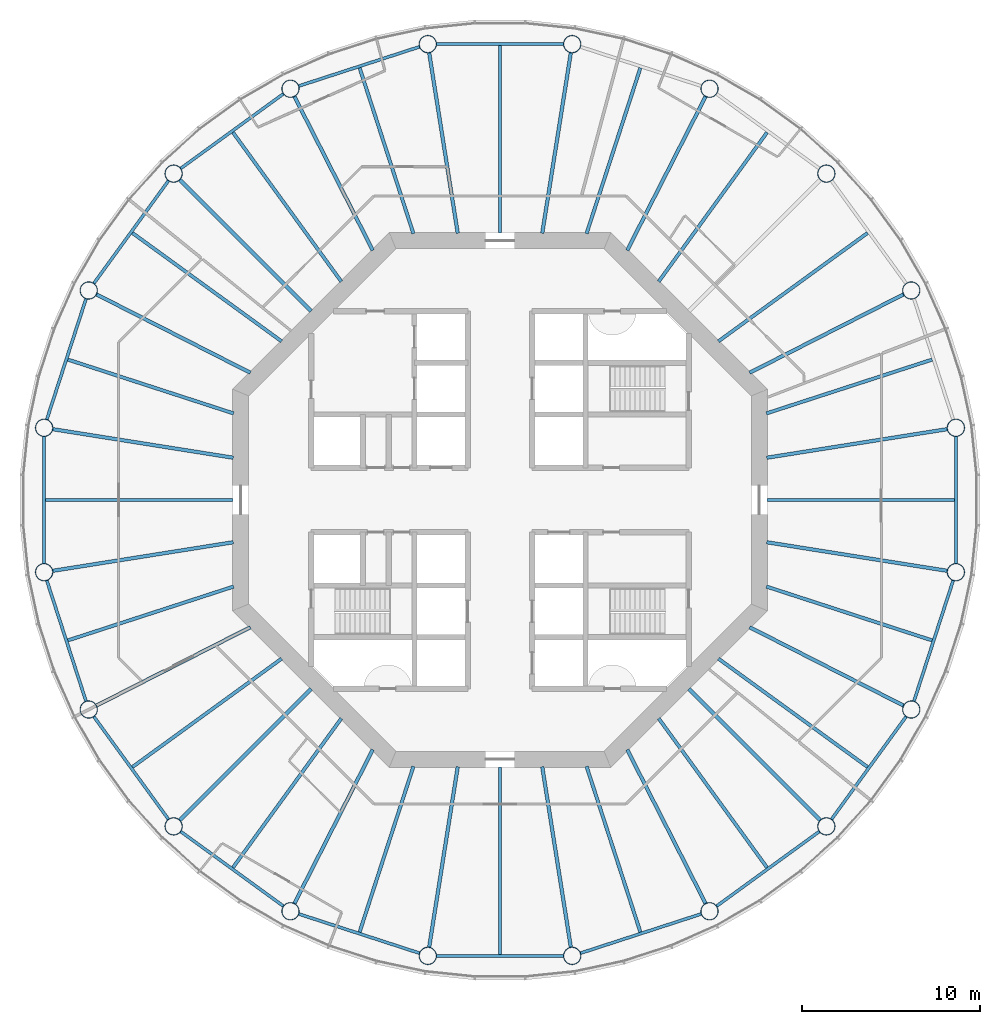
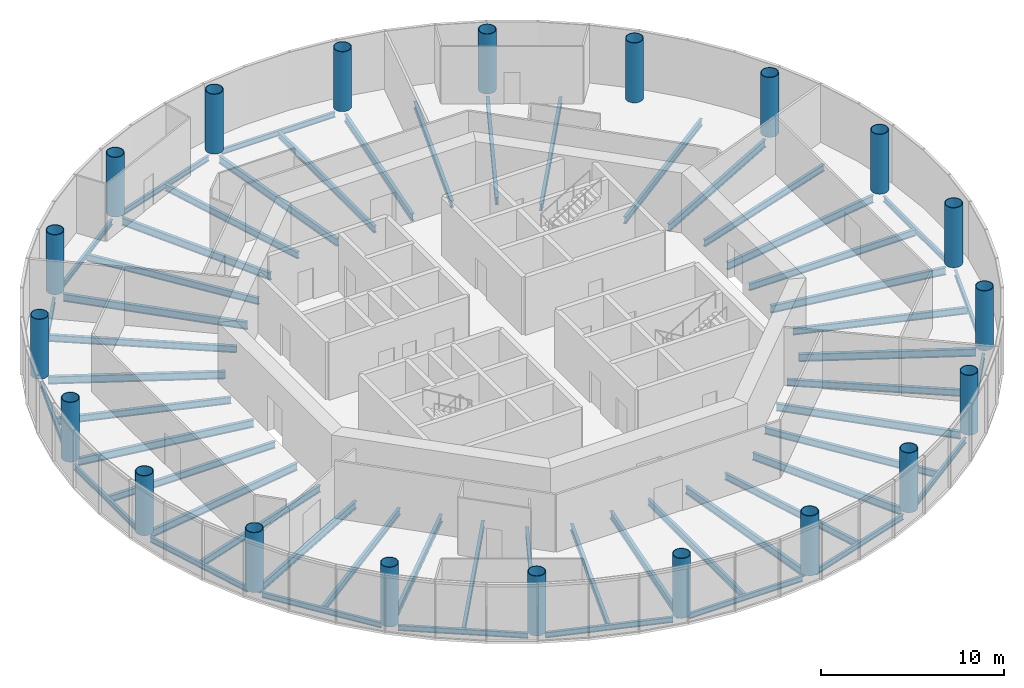
# One storey, part 1 of 12: 55 beams, 20 columns.
"""IFC4 building model written with IfcOpenShell, lengths in metres."""

from ifc_helpers import new_model, si_unit, direction, frame, origin, origin_2d, place, context, subcontext, project, spatial, circle, hollow_circle, i_section, extrude, material, material_profile, profile_set, type_object, element, save


model = new_model("IFC4")

# Units and contexts
model_context = context("Model", 3, precision=1e-05, world=origin(), true_north=direction((0.0, 1.0)))
body_context = subcontext(model_context, "Body", "Model", "MODEL_VIEW")
ifc_project = project(units=[si_unit("LENGTHUNIT", "METRE"), si_unit("AREAUNIT", "SQUARE_METRE"), si_unit("VOLUMEUNIT", "CUBIC_METRE"), si_unit("PLANEANGLEUNIT", "RADIAN"), si_unit("MASSUNIT", "GRAM", prefix="KILO")], contexts=[model_context])

# Site, building, storey
site_placement = place(None, origin())
site = spatial("IfcSite", under=ifc_project, at=site_placement, CompositionType="ELEMENT")
building_placement = place(site_placement, origin())
building = spatial("IfcBuilding", under=site, at=building_placement, Name="Entoto Ring Tower", CompositionType="ELEMENT")
storey_placement = place(building_placement, frame((0.0, 0.0, 210.0)))
storey = spatial("IfcBuildingStorey", under=building, at=storey_placement, Name="L48", CompositionType="ELEMENT", Elevation=210.0)

# Columns
ifc_material_1 = material(Name="Steel S355", Category="steel")
ifc_material_profile_1 = material_profile(ifc_material_1, hollow_circle(Radius=0.5, WallThickness=0.0400390625, at=origin_2d()), Name="CHS 1000 x 40")
ifc_material_2 = material(Name="Concrete C60/75", Category="concrete")
ifc_material_profile_2 = material_profile(ifc_material_2, circle(Radius=0.4599609375, at=origin_2d()), Name="Concrete C60/75 infill")
ifc_profile_set_1 = profile_set([ifc_material_profile_1, ifc_material_profile_2], Name="Steel S355")
column_type = type_object("IfcColumnType", Name="Ring column 1000 x 40 concrete-filled tube", PredefinedType="COLUMN", material=ifc_profile_set_1)
for number, where, z_axis, x_axis, name in (
    (1, (115.5810546875, 84.0517578125, 0.0), (0.0, 0.0, 1.0), (1.0, 0.0, 0.0), "RC4 R01"),
    (2, (113.0771484375, 91.75830078125, 0.0), (0.0, 0.0, 1.0), (1.0, 0.0, 0.0), "RC4 R02"),
    (3, (108.31396484375, 98.31396484375, 0.0), (0.0, 0.0, 1.0), (1.0, 0.0, 0.0), "RC4 R03"),
    (4, (101.75830078125, 103.0771484375, 0.0), (0.0, 0.0, 1.0), (1.0, 0.0, 0.0), "RC4 R04"),
    (5, (94.0517578125, 105.5810546875, 0.0), (0.0, 0.0, 1.0), (1.0, 0.0, 0.0), "RC4 R05"),
    (6, (85.9482421875, 105.5810546875, 0.0), (0.0, 0.0, 1.0), (1.0, 0.0, 0.0), "RC4 R06"),
    (7, (78.24169921875, 103.0771484375, 0.0), (0.0, 0.0, 1.0), (1.0, 0.0, 0.0), "RC4 R07"),
    (8, (71.68603515625, 98.31396484375, 0.0), (0.0, 0.0, 1.0), (1.0, 0.0, 0.0), "RC4 R08"),
    (9, (66.9228515625, 91.75830078125, 0.0), (0.0, 0.0, 1.0), (1.0, 0.0, 0.0), "RC4 R09"),
    (10, (64.4189453125, 84.0517578125, 0.0), (0.0, 0.0, 1.0), (1.0, 0.0, 0.0), "RC4 R10"),
    (11, (64.4189453125, 75.9482421875, 0.0), (0.0, 0.0, 1.0), (1.0, 0.0, 0.0), "RC4 R11"),
    (12, (66.9228515625, 68.24169921875, 0.0), (0.0, 0.0, 1.0), (1.0, 0.0, 0.0), "RC4 R12"),
    (13, (71.68603515625, 61.68603515625, 0.0), (0.0, 0.0, 1.0), (1.0, 0.0, 0.0), "RC4 R13"),
    (14, (78.24169921875, 56.9228515625, 0.0), (0.0, 0.0, 1.0), (1.0, 0.0, 0.0), "RC4 R14"),
    (15, (85.9482421875, 54.4189453125, 0.0), (0.0, 0.0, 1.0), (1.0, 0.0, 0.0), "RC4 R15"),
    (16, (94.0517578125, 54.4189453125, 0.0), (0.0, 0.0, 1.0), (1.0, 0.0, 0.0), "RC4 R16"),
    (17, (101.75830078125, 56.9228515625, 0.0), (0.0, 0.0, 1.0), (1.0, 0.0, 0.0), "RC4 R17"),
    (18, (108.31396484375, 61.68603515625, 0.0), (0.0, 0.0, 1.0), (1.0, 0.0, 0.0), "RC4 R18"),
    (19, (113.0771484375, 68.24169921875, 0.0), (0.0, 0.0, 1.0), (1.0, 0.0, 0.0), "RC4 R19"),
    (20, (115.5810546875, 75.9482421875, 0.0), (0.0, 0.0, 1.0), (1.0, 0.0, 0.0), "RC4 R20"),
):
    element("IfcColumn", number, at=place(storey_placement, frame(where, z_axis=z_axis, x_axis=x_axis)), inside=storey, type_object=column_type, Name=name, PredefinedType="COLUMN", context=body_context, shape_type="SweptSolid", body=[
        extrude(hollow_circle(Radius=0.5, WallThickness=0.0400390625, at=origin_2d()), origin(), (0.0, 0.0, 1.0), 4.0),
    ])

# Beams
ifc_material_3 = material(Name="Steel S355", Category="steel")
ifc_material_profile_3 = material_profile(ifc_material_3, i_section(OverallWidth=0.169921875, OverallDepth=0.360107421875, WebThickness=0.008056640625, FlangeThickness=0.0126953125, FilletRadius=0.01806640625, at=origin_2d()), Name="IPE 360")
ifc_profile_set_2 = profile_set([ifc_material_profile_3], Name="Steel S355")
beam_type_1 = type_object("IfcBeamType", Name="Edge beam IPE 360", PredefinedType="SPANDREL", material=ifc_profile_set_2)
beam_1_placement = place(storey_placement, frame((93.5791015625, 105.5810546875, -0.330078125), z_axis=(-1.0, 0.0, 0.0), x_axis=(0.0, -1.0, 0.0)))
element("IfcBeam", 21, at=beam_1_placement, inside=storey, type_object=beam_type_1, Name="Edge beam L48 05", PredefinedType="SPANDREL", context=body_context, shape_type="SweptSolid", body=[
    extrude(i_section(OverallWidth=0.169921875, OverallDepth=0.360107421875, WebThickness=0.008056640625, FlangeThickness=0.0126953125, FilletRadius=0.01806640625, at=origin_2d()), origin(), (0.0, 0.0, 1.0), 7.158203125),
])
beam_2_placement = place(storey_placement, frame((85.498779296875, 105.43505859375, -0.330078125), z_axis=(-0.951057125849, -0.309015118354, 0.0), x_axis=(0.309015118354, -0.951057125849, 0.0)))
element("IfcBeam", 22, at=beam_2_placement, inside=storey, type_object=beam_type_1, Name="Edge beam L48 06", PredefinedType="SPANDREL", context=body_context, shape_type="SweptSolid", body=[
    extrude(i_section(OverallWidth=0.169921875, OverallDepth=0.360107421875, WebThickness=0.008056640625, FlangeThickness=0.0126953125, FilletRadius=0.01806640625, at=origin_2d()), origin(), (0.0, 0.0, 1.0), 7.157958984375),
])
for number, where, z_axis, x_axis, name in (
    (23, (77.859375, 102.79931640625, -0.330078125), (-0.809010324619, -0.587794432314, 0.0), (0.587794432314, -0.809010324619, 0.0), "Edge beam L48 07"),
    (24, (71.408203125, 97.931640625, -0.330078125), (-0.587794432314, -0.809010324619, 0.0), (0.809010324619, -0.587794432314, 0.0), "Edge beam L48 08"),
):
    element("IfcBeam", number, at=place(storey_placement, frame(where, z_axis=z_axis, x_axis=x_axis)), inside=storey, type_object=beam_type_1, Name=name, PredefinedType="SPANDREL", context=body_context, shape_type="SweptSolid", body=[
        extrude(i_section(OverallWidth=0.169921875, OverallDepth=0.360107421875, WebThickness=0.008056640625, FlangeThickness=0.0126953125, FilletRadius=0.01806640625, at=origin_2d()), origin(), (0.0, 0.0, 1.0), 7.158203125),
    ])
beam_3_placement = place(storey_placement, frame((66.77685546875, 91.308837890625, -0.330078125), z_axis=(-0.309015118354, -0.951057125849, 0.0), x_axis=(0.951057125849, -0.309015118354, 0.0)))
element("IfcBeam", 25, at=beam_3_placement, inside=storey, type_object=beam_type_1, Name="Edge beam L48 09", PredefinedType="SPANDREL", context=body_context, shape_type="SweptSolid", body=[
    extrude(i_section(OverallWidth=0.169921875, OverallDepth=0.360107421875, WebThickness=0.008056640625, FlangeThickness=0.0126953125, FilletRadius=0.01806640625, at=origin_2d()), origin(), (0.0, 0.0, 1.0), 7.157958984375),
])
beam_4_placement = place(storey_placement, frame((64.4189453125, 83.5791015625, -0.330078125), z_axis=(0.0, -1.0, 0.0), x_axis=(1.0, 0.0, 0.0)))
element("IfcBeam", 26, at=beam_4_placement, inside=storey, type_object=beam_type_1, Name="Edge beam L48 10", PredefinedType="SPANDREL", context=body_context, shape_type="SweptSolid", body=[
    extrude(i_section(OverallWidth=0.169921875, OverallDepth=0.360107421875, WebThickness=0.008056640625, FlangeThickness=0.0126953125, FilletRadius=0.01806640625, at=origin_2d()), origin(), (0.0, 0.0, 1.0), 7.158203125),
])
beam_5_placement = place(storey_placement, frame((64.56494140625, 75.498779296875, -0.330078125), z_axis=(0.309015118354, -0.951057125849, 0.0), x_axis=(0.951057125849, 0.309015118354, 0.0)))
element("IfcBeam", 27, at=beam_5_placement, inside=storey, type_object=beam_type_1, Name="Edge beam L48 11", PredefinedType="SPANDREL", context=body_context, shape_type="SweptSolid", body=[
    extrude(i_section(OverallWidth=0.169921875, OverallDepth=0.360107421875, WebThickness=0.008056640625, FlangeThickness=0.0126953125, FilletRadius=0.01806640625, at=origin_2d()), origin(), (0.0, 0.0, 1.0), 7.157958984375),
])
for number, where, z_axis, x_axis, name in (
    (28, (67.20068359375, 67.859375, -0.330078125), (0.587794432314, -0.809010324619, 0.0), (0.809010324619, 0.587794432314, 0.0), "Edge beam L48 12"),
    (29, (72.068359375, 61.408203125, -0.330078125), (0.809010324619, -0.587794432314, 0.0), (0.587794432314, 0.809010324619, 0.0), "Edge beam L48 13"),
):
    element("IfcBeam", number, at=place(storey_placement, frame(where, z_axis=z_axis, x_axis=x_axis)), inside=storey, type_object=beam_type_1, Name=name, PredefinedType="SPANDREL", context=body_context, shape_type="SweptSolid", body=[
        extrude(i_section(OverallWidth=0.169921875, OverallDepth=0.360107421875, WebThickness=0.008056640625, FlangeThickness=0.0126953125, FilletRadius=0.01806640625, at=origin_2d()), origin(), (0.0, 0.0, 1.0), 7.158203125),
    ])
beam_6_placement = place(storey_placement, frame((78.691162109375, 56.77685546875, -0.330078125), z_axis=(0.951057125849, -0.309015118354, 0.0), x_axis=(0.309015118354, 0.951057125849, 0.0)))
element("IfcBeam", 30, at=beam_6_placement, inside=storey, type_object=beam_type_1, Name="Edge beam L48 14", PredefinedType="SPANDREL", context=body_context, shape_type="SweptSolid", body=[
    extrude(i_section(OverallWidth=0.169921875, OverallDepth=0.360107421875, WebThickness=0.008056640625, FlangeThickness=0.0126953125, FilletRadius=0.01806640625, at=origin_2d()), origin(), (0.0, 0.0, 1.0), 7.157958984375),
])
beam_7_placement = place(storey_placement, frame((86.4208984375, 54.4189453125, -0.330078125), z_axis=(1.0, 0.0, 0.0), x_axis=(0.0, 1.0, 0.0)))
element("IfcBeam", 31, at=beam_7_placement, inside=storey, type_object=beam_type_1, Name="Edge beam L48 15", PredefinedType="SPANDREL", context=body_context, shape_type="SweptSolid", body=[
    extrude(i_section(OverallWidth=0.169921875, OverallDepth=0.360107421875, WebThickness=0.008056640625, FlangeThickness=0.0126953125, FilletRadius=0.01806640625, at=origin_2d()), origin(), (0.0, 0.0, 1.0), 7.158203125),
])
beam_8_placement = place(storey_placement, frame((94.501220703125, 54.56494140625, -0.330078125), z_axis=(0.951057125849, 0.309015118354, 0.0), x_axis=(-0.309015118354, 0.951057125849, 0.0)))
element("IfcBeam", 32, at=beam_8_placement, inside=storey, type_object=beam_type_1, Name="Edge beam L48 16", PredefinedType="SPANDREL", context=body_context, shape_type="SweptSolid", body=[
    extrude(i_section(OverallWidth=0.169921875, OverallDepth=0.360107421875, WebThickness=0.008056640625, FlangeThickness=0.0126953125, FilletRadius=0.01806640625, at=origin_2d()), origin(), (0.0, 0.0, 1.0), 7.157958984375),
])
for number, where, z_axis, x_axis, name in (
    (33, (102.140625, 57.20068359375, -0.330078125), (0.809010324619, 0.587794432314, 0.0), (-0.587794432314, 0.809010324619, 0.0), "Edge beam L48 17"),
    (34, (108.591796875, 62.068359375, -0.330078125), (0.587794432314, 0.809010324619, 0.0), (-0.809010324619, 0.587794432314, 0.0), "Edge beam L48 18"),
):
    element("IfcBeam", number, at=place(storey_placement, frame(where, z_axis=z_axis, x_axis=x_axis)), inside=storey, type_object=beam_type_1, Name=name, PredefinedType="SPANDREL", context=body_context, shape_type="SweptSolid", body=[
        extrude(i_section(OverallWidth=0.169921875, OverallDepth=0.360107421875, WebThickness=0.008056640625, FlangeThickness=0.0126953125, FilletRadius=0.01806640625, at=origin_2d()), origin(), (0.0, 0.0, 1.0), 7.158203125),
    ])
beam_9_placement = place(storey_placement, frame((113.22314453125, 68.691162109375, -0.330078125), z_axis=(0.309015118354, 0.951057125849, 0.0), x_axis=(-0.951057125849, 0.309015118354, 0.0)))
element("IfcBeam", 35, at=beam_9_placement, inside=storey, type_object=beam_type_1, Name="Edge beam L48 19", PredefinedType="SPANDREL", context=body_context, shape_type="SweptSolid", body=[
    extrude(i_section(OverallWidth=0.169921875, OverallDepth=0.360107421875, WebThickness=0.008056640625, FlangeThickness=0.0126953125, FilletRadius=0.01806640625, at=origin_2d()), origin(), (0.0, 0.0, 1.0), 7.157958984375),
])
beam_10_placement = place(storey_placement, frame((115.5810546875, 76.4208984375, -0.330078125), z_axis=(0.0, 1.0, 0.0), x_axis=(-1.0, 0.0, 0.0)))
element("IfcBeam", 36, at=beam_10_placement, inside=storey, type_object=beam_type_1, Name="Edge beam L48 20", PredefinedType="SPANDREL", context=body_context, shape_type="SweptSolid", body=[
    extrude(i_section(OverallWidth=0.169921875, OverallDepth=0.360107421875, WebThickness=0.008056640625, FlangeThickness=0.0126953125, FilletRadius=0.01806640625, at=origin_2d()), origin(), (0.0, 0.0, 1.0), 7.158203125),
])
ifc_material_4 = material(Name="Steel S355", Category="steel")
ifc_material_profile_4 = material_profile(ifc_material_4, i_section(OverallWidth=0.199951171875, OverallDepth=0.5, WebThickness=0.01025390625, FlangeThickness=0.01611328125, FilletRadius=0.02099609375, at=origin_2d()), Name="IPE 500")
ifc_profile_set_3 = profile_set([ifc_material_profile_4], Name="Steel S355")
beam_type_2 = type_object("IfcBeamType", Name="Primary floor beam IPE 500", PredefinedType="BEAM", material=ifc_profile_set_3)
beam_11_placement = place(storey_placement, frame((104.964599609375, 82.3701171875, -0.39990234375), z_axis=(0.987685619518, 0.156451644281, 0.0), x_axis=(-0.156451644281, 0.987685619518, 0.0)))
element("IfcBeam", 37, at=beam_11_placement, inside=storey, type_object=beam_type_2, Name="Primary L48 R01", PredefinedType="BEAM", context=body_context, shape_type="SweptSolid", body=[
    extrude(i_section(OverallWidth=0.199951171875, OverallDepth=0.5, WebThickness=0.01025390625, FlangeThickness=0.01611328125, FilletRadius=0.02099609375, at=origin_2d()), origin(), (0.0, 0.0, 1.0), 10.27880859375),
])
for number, where, z_axis, x_axis, name in (
    (38, (104.006103515625, 87.136474609375, -0.39990234375), (0.891012442297, 0.45397888461, 0.0), (-0.45397888461, 0.891012442297, 0.0), "Primary L48 R02"),
    (39, (97.136474609375, 94.006103515625, -0.39990234375), (0.45397888461, 0.891012442297, 0.0), (-0.891012442297, 0.45397888461, 0.0), "Primary L48 R04"),
):
    element("IfcBeam", number, at=place(storey_placement, frame(where, z_axis=z_axis, x_axis=x_axis)), inside=storey, type_object=beam_type_2, Name=name, PredefinedType="BEAM", context=body_context, shape_type="SweptSolid", body=[
        extrude(i_section(OverallWidth=0.199951171875, OverallDepth=0.5, WebThickness=0.01025390625, FlangeThickness=0.01611328125, FilletRadius=0.02099609375, at=origin_2d()), origin(), (0.0, 0.0, 1.0), 9.710693359375),
    ])
for number, where, z_axis, x_axis, name in (
    (40, (92.3701171875, 94.964599609375, -0.39990234375), (0.156451644281, 0.987685619518, 0.0), (-0.987685619518, 0.156451644281, 0.0), "Primary L48 R05"),
    (41, (87.6298828125, 94.964599609375, -0.39990234375), (-0.156451644281, 0.987685619518, 0.0), (-0.987685619518, -0.156451644281, 0.0), "Primary L48 R06"),
):
    element("IfcBeam", number, at=place(storey_placement, frame(where, z_axis=z_axis, x_axis=x_axis)), inside=storey, type_object=beam_type_2, Name=name, PredefinedType="BEAM", context=body_context, shape_type="SweptSolid", body=[
        extrude(i_section(OverallWidth=0.199951171875, OverallDepth=0.5, WebThickness=0.01025390625, FlangeThickness=0.01611328125, FilletRadius=0.02099609375, at=origin_2d()), origin(), (0.0, 0.0, 1.0), 10.27880859375),
    ])
beam_12_placement = place(storey_placement, frame((82.863525390625, 94.006103515625, -0.39990234375), z_axis=(-0.45397888461, 0.891012442297, 0.0), x_axis=(-0.891012442297, -0.45397888461, 0.0)))
element("IfcBeam", 42, at=beam_12_placement, inside=storey, type_object=beam_type_2, Name="Primary L48 R07", PredefinedType="BEAM", context=body_context, shape_type="SweptSolid", body=[
    extrude(i_section(OverallWidth=0.199951171875, OverallDepth=0.5, WebThickness=0.01025390625, FlangeThickness=0.01611328125, FilletRadius=0.02099609375, at=origin_2d()), origin(), (0.0, 0.0, 1.0), 9.710693359375),
])
beam_13_placement = place(storey_placement, frame((79.407470703125, 90.592529296875, -0.39990234375), z_axis=(-0.707106781187, 0.707106781187, 0.0), x_axis=(-0.707106781187, -0.707106781187, 0.0)))
element("IfcBeam", 43, at=beam_13_placement, inside=storey, type_object=beam_type_2, Name="Primary L48 R08", PredefinedType="BEAM", context=body_context, shape_type="SweptSolid", body=[
    extrude(i_section(OverallWidth=0.199951171875, OverallDepth=0.5, WebThickness=0.01025390625, FlangeThickness=0.01611328125, FilletRadius=0.02099609375, at=origin_2d()), origin(), (0.0, 0.0, 1.0), 10.4501953125),
])
beam_14_placement = place(storey_placement, frame((75.993896484375, 87.136474609375, -0.39990234375), z_axis=(-0.891012442297, 0.45397888461, 0.0), x_axis=(-0.45397888461, -0.891012442297, 0.0)))
element("IfcBeam", 44, at=beam_14_placement, inside=storey, type_object=beam_type_2, Name="Primary L48 R09", PredefinedType="BEAM", context=body_context, shape_type="SweptSolid", body=[
    extrude(i_section(OverallWidth=0.199951171875, OverallDepth=0.5, WebThickness=0.01025390625, FlangeThickness=0.01611328125, FilletRadius=0.02099609375, at=origin_2d()), origin(), (0.0, 0.0, 1.0), 9.710693359375),
])
for number, where, z_axis, x_axis, name in (
    (45, (75.035400390625, 82.3701171875, -0.39990234375), (-0.987685619518, 0.156451644281, 0.0), (-0.156451644281, -0.987685619518, 0.0), "Primary L48 R10"),
    (46, (75.035400390625, 77.6298828125, -0.39990234375), (-0.987685619518, -0.156451644281, 0.0), (0.156451644281, -0.987685619518, 0.0), "Primary L48 R11"),
):
    element("IfcBeam", number, at=place(storey_placement, frame(where, z_axis=z_axis, x_axis=x_axis)), inside=storey, type_object=beam_type_2, Name=name, PredefinedType="BEAM", context=body_context, shape_type="SweptSolid", body=[
        extrude(i_section(OverallWidth=0.199951171875, OverallDepth=0.5, WebThickness=0.01025390625, FlangeThickness=0.01611328125, FilletRadius=0.02099609375, at=origin_2d()), origin(), (0.0, 0.0, 1.0), 10.27880859375),
    ])
beam_15_placement = place(storey_placement, frame((75.993896484375, 72.863525390625, -0.39990234375), z_axis=(-0.891012442297, -0.45397888461, 0.0), x_axis=(0.45397888461, -0.891012442297, 0.0)))
element("IfcBeam", 47, at=beam_15_placement, inside=storey, type_object=beam_type_2, Name="Primary L48 R12", PredefinedType="BEAM", context=body_context, shape_type="SweptSolid", body=[
    extrude(i_section(OverallWidth=0.199951171875, OverallDepth=0.5, WebThickness=0.01025390625, FlangeThickness=0.01611328125, FilletRadius=0.02099609375, at=origin_2d()), origin(), (0.0, 0.0, 1.0), 9.710693359375),
])
beam_16_placement = place(storey_placement, frame((79.407470703125, 69.407470703125, -0.39990234375), z_axis=(-0.707106781187, -0.707106781187, 0.0), x_axis=(0.707106781187, -0.707106781187, 0.0)))
element("IfcBeam", 48, at=beam_16_placement, inside=storey, type_object=beam_type_2, Name="Primary L48 R13", PredefinedType="BEAM", context=body_context, shape_type="SweptSolid", body=[
    extrude(i_section(OverallWidth=0.199951171875, OverallDepth=0.5, WebThickness=0.01025390625, FlangeThickness=0.01611328125, FilletRadius=0.02099609375, at=origin_2d()), origin(), (0.0, 0.0, 1.0), 10.4501953125),
])
beam_17_placement = place(storey_placement, frame((82.863525390625, 65.993896484375, -0.39990234375), z_axis=(-0.45397888461, -0.891012442297, 0.0), x_axis=(0.891012442297, -0.45397888461, 0.0)))
element("IfcBeam", 49, at=beam_17_placement, inside=storey, type_object=beam_type_2, Name="Primary L48 R14", PredefinedType="BEAM", context=body_context, shape_type="SweptSolid", body=[
    extrude(i_section(OverallWidth=0.199951171875, OverallDepth=0.5, WebThickness=0.01025390625, FlangeThickness=0.01611328125, FilletRadius=0.02099609375, at=origin_2d()), origin(), (0.0, 0.0, 1.0), 9.710693359375),
])
for number, where, z_axis, x_axis, name in (
    (50, (87.6298828125, 65.035400390625, -0.39990234375), (-0.156451644281, -0.987685619518, 0.0), (0.987685619518, -0.156451644281, 0.0), "Primary L48 R15"),
    (51, (92.3701171875, 65.035400390625, -0.39990234375), (0.156451644281, -0.987685619518, 0.0), (0.987685619518, 0.156451644281, 0.0), "Primary L48 R16"),
):
    element("IfcBeam", number, at=place(storey_placement, frame(where, z_axis=z_axis, x_axis=x_axis)), inside=storey, type_object=beam_type_2, Name=name, PredefinedType="BEAM", context=body_context, shape_type="SweptSolid", body=[
        extrude(i_section(OverallWidth=0.199951171875, OverallDepth=0.5, WebThickness=0.01025390625, FlangeThickness=0.01611328125, FilletRadius=0.02099609375, at=origin_2d()), origin(), (0.0, 0.0, 1.0), 10.27880859375),
    ])
beam_18_placement = place(storey_placement, frame((97.136474609375, 65.993896484375, -0.39990234375), z_axis=(0.45397888461, -0.891012442297, 0.0), x_axis=(0.891012442297, 0.45397888461, 0.0)))
element("IfcBeam", 52, at=beam_18_placement, inside=storey, type_object=beam_type_2, Name="Primary L48 R17", PredefinedType="BEAM", context=body_context, shape_type="SweptSolid", body=[
    extrude(i_section(OverallWidth=0.199951171875, OverallDepth=0.5, WebThickness=0.01025390625, FlangeThickness=0.01611328125, FilletRadius=0.02099609375, at=origin_2d()), origin(), (0.0, 0.0, 1.0), 9.710693359375),
])
beam_19_placement = place(storey_placement, frame((100.592529296875, 69.407470703125, -0.39990234375), z_axis=(0.707106781187, -0.707106781187, 0.0), x_axis=(0.707106781187, 0.707106781187, 0.0)))
element("IfcBeam", 53, at=beam_19_placement, inside=storey, type_object=beam_type_2, Name="Primary L48 R18", PredefinedType="BEAM", context=body_context, shape_type="SweptSolid", body=[
    extrude(i_section(OverallWidth=0.199951171875, OverallDepth=0.5, WebThickness=0.01025390625, FlangeThickness=0.01611328125, FilletRadius=0.02099609375, at=origin_2d()), origin(), (0.0, 0.0, 1.0), 10.4501953125),
])
beam_20_placement = place(storey_placement, frame((104.006103515625, 72.863525390625, -0.39990234375), z_axis=(0.891012442297, -0.45397888461, 0.0), x_axis=(0.45397888461, 0.891012442297, 0.0)))
element("IfcBeam", 54, at=beam_20_placement, inside=storey, type_object=beam_type_2, Name="Primary L48 R19", PredefinedType="BEAM", context=body_context, shape_type="SweptSolid", body=[
    extrude(i_section(OverallWidth=0.199951171875, OverallDepth=0.5, WebThickness=0.01025390625, FlangeThickness=0.01611328125, FilletRadius=0.02099609375, at=origin_2d()), origin(), (0.0, 0.0, 1.0), 9.710693359375),
])
beam_21_placement = place(storey_placement, frame((104.964599609375, 77.6298828125, -0.39990234375), z_axis=(0.987685619518, -0.156451644281, 0.0), x_axis=(0.156451644281, 0.987685619518, 0.0)))
element("IfcBeam", 55, at=beam_21_placement, inside=storey, type_object=beam_type_2, Name="Primary L48 R20", PredefinedType="BEAM", context=body_context, shape_type="SweptSolid", body=[
    extrude(i_section(OverallWidth=0.199951171875, OverallDepth=0.5, WebThickness=0.01025390625, FlangeThickness=0.01611328125, FilletRadius=0.02099609375, at=origin_2d()), origin(), (0.0, 0.0, 1.0), 10.27880859375),
])
ifc_material_5 = material(Name="Steel S355", Category="steel")
ifc_material_profile_5 = material_profile(ifc_material_5, i_section(OverallWidth=0.18994140625, OverallDepth=0.449951171875, WebThickness=0.009521484375, FlangeThickness=0.0146484375, FilletRadius=0.02099609375, at=origin_2d()), Name="IPE 450")
ifc_profile_set_4 = profile_set([ifc_material_profile_5], Name="Steel S355")
beam_type_3 = type_object("IfcBeamType", Name="Secondary floor beam IPE 450", PredefinedType="JOIST", material=ifc_profile_set_4)
beam_22_placement = place(storey_placement, frame((104.95166015625, 84.858154296875, -0.375), z_axis=(0.951061045963, 0.309003053144, 0.0), x_axis=(-0.309003053144, 0.951061045963, 0.0)))
element("IfcBeam", 56, at=beam_22_placement, inside=storey, type_object=beam_type_3, Name="Secondary beam L48 01", PredefinedType="JOIST", context=body_context, shape_type="SweptSolid", body=[
    extrude(i_section(OverallWidth=0.18994140625, OverallDepth=0.449951171875, WebThickness=0.009521484375, FlangeThickness=0.0146484375, FilletRadius=0.02099609375, at=origin_2d()), origin(), (0.0, 0.0, 1.0), 9.77490234375),
])
for number, where, z_axis, x_axis, name in (
    (57, (102.258056640625, 88.906005859375, -0.375), (0.809010538485, 0.58779413796, 0.0), (-0.58779413796, 0.809010538485, 0.0), "Secondary beam L48 02"),
    (58, (98.906005859375, 92.258056640625, -0.375), (0.58779413796, 0.809010538485, 0.0), (-0.809010538485, 0.58779413796, 0.0), "Secondary beam L48 03"),
):
    element("IfcBeam", number, at=place(storey_placement, frame(where, z_axis=z_axis, x_axis=x_axis)), inside=storey, type_object=beam_type_3, Name=name, PredefinedType="JOIST", context=body_context, shape_type="SweptSolid", body=[
        extrude(i_section(OverallWidth=0.18994140625, OverallDepth=0.449951171875, WebThickness=0.009521484375, FlangeThickness=0.0146484375, FilletRadius=0.02099609375, at=origin_2d()), origin(), (0.0, 0.0, 1.0), 10.34423828125),
    ])
beam_23_placement = place(storey_placement, frame((94.858154296875, 94.95166015625, -0.375), z_axis=(0.309003053144, 0.951061045963, 0.0), x_axis=(-0.951061045963, 0.309003053144, 0.0)))
element("IfcBeam", 59, at=beam_23_placement, inside=storey, type_object=beam_type_3, Name="Secondary beam L48 04", PredefinedType="JOIST", context=body_context, shape_type="SweptSolid", body=[
    extrude(i_section(OverallWidth=0.18994140625, OverallDepth=0.449951171875, WebThickness=0.009521484375, FlangeThickness=0.0146484375, FilletRadius=0.02099609375, at=origin_2d()), origin(), (0.0, 0.0, 1.0), 9.77490234375),
])
beam_24_placement = place(storey_placement, frame((90.0, 94.97998046875, -0.375), z_axis=(0.0, 1.0, 0.0), x_axis=(-1.0, 0.0, 0.0)))
element("IfcBeam", 60, at=beam_24_placement, inside=storey, type_object=beam_type_3, Name="Secondary beam L48 05", PredefinedType="JOIST", context=body_context, shape_type="SweptSolid", body=[
    extrude(i_section(OverallWidth=0.18994140625, OverallDepth=0.449951171875, WebThickness=0.009521484375, FlangeThickness=0.0146484375, FilletRadius=0.02099609375, at=origin_2d()), origin(), (0.0, 0.0, 1.0), 10.51611328125),
])
beam_25_placement = place(storey_placement, frame((85.141845703125, 94.95166015625, -0.375), z_axis=(-0.309003053144, 0.951061045963, 0.0), x_axis=(-0.951061045963, -0.309003053144, 0.0)))
element("IfcBeam", 61, at=beam_25_placement, inside=storey, type_object=beam_type_3, Name="Secondary beam L48 06", PredefinedType="JOIST", context=body_context, shape_type="SweptSolid", body=[
    extrude(i_section(OverallWidth=0.18994140625, OverallDepth=0.449951171875, WebThickness=0.009521484375, FlangeThickness=0.0146484375, FilletRadius=0.02099609375, at=origin_2d()), origin(), (0.0, 0.0, 1.0), 9.77490234375),
])
for number, where, z_axis, x_axis, name in (
    (62, (81.093994140625, 92.258056640625, -0.375), (-0.58779413796, 0.809010538485, 0.0), (-0.809010538485, -0.58779413796, 0.0), "Secondary beam L48 07"),
    (63, (77.741943359375, 88.906005859375, -0.375), (-0.809010538485, 0.58779413796, 0.0), (-0.58779413796, -0.809010538485, 0.0), "Secondary beam L48 08"),
):
    element("IfcBeam", number, at=place(storey_placement, frame(where, z_axis=z_axis, x_axis=x_axis)), inside=storey, type_object=beam_type_3, Name=name, PredefinedType="JOIST", context=body_context, shape_type="SweptSolid", body=[
        extrude(i_section(OverallWidth=0.18994140625, OverallDepth=0.449951171875, WebThickness=0.009521484375, FlangeThickness=0.0146484375, FilletRadius=0.02099609375, at=origin_2d()), origin(), (0.0, 0.0, 1.0), 10.34423828125),
    ])
beam_26_placement = place(storey_placement, frame((75.04833984375, 84.858154296875, -0.375), z_axis=(-0.951061045963, 0.309003053144, 0.0), x_axis=(-0.309003053144, -0.951061045963, 0.0)))
element("IfcBeam", 64, at=beam_26_placement, inside=storey, type_object=beam_type_3, Name="Secondary beam L48 09", PredefinedType="JOIST", context=body_context, shape_type="SweptSolid", body=[
    extrude(i_section(OverallWidth=0.18994140625, OverallDepth=0.449951171875, WebThickness=0.009521484375, FlangeThickness=0.0146484375, FilletRadius=0.02099609375, at=origin_2d()), origin(), (0.0, 0.0, 1.0), 9.77490234375),
])
beam_27_placement = place(storey_placement, frame((75.02001953125, 80.0, -0.375), z_axis=(-1.0, 0.0, 0.0), x_axis=(0.0, -1.0, 0.0)))
element("IfcBeam", 65, at=beam_27_placement, inside=storey, type_object=beam_type_3, Name="Secondary beam L48 10", PredefinedType="JOIST", context=body_context, shape_type="SweptSolid", body=[
    extrude(i_section(OverallWidth=0.18994140625, OverallDepth=0.449951171875, WebThickness=0.009521484375, FlangeThickness=0.0146484375, FilletRadius=0.02099609375, at=origin_2d()), origin(), (0.0, 0.0, 1.0), 10.51611328125),
])
beam_28_placement = place(storey_placement, frame((75.04833984375, 75.141845703125, -0.375), z_axis=(-0.951061045963, -0.309003053144, 0.0), x_axis=(0.309003053144, -0.951061045963, 0.0)))
element("IfcBeam", 66, at=beam_28_placement, inside=storey, type_object=beam_type_3, Name="Secondary beam L48 11", PredefinedType="JOIST", context=body_context, shape_type="SweptSolid", body=[
    extrude(i_section(OverallWidth=0.18994140625, OverallDepth=0.449951171875, WebThickness=0.009521484375, FlangeThickness=0.0146484375, FilletRadius=0.02099609375, at=origin_2d()), origin(), (0.0, 0.0, 1.0), 9.77490234375),
])
for number, where, z_axis, x_axis, name in (
    (67, (77.741943359375, 71.093994140625, -0.375), (-0.809010538485, -0.58779413796, 0.0), (0.58779413796, -0.809010538485, 0.0), "Secondary beam L48 12"),
    (68, (81.093994140625, 67.741943359375, -0.375), (-0.58779413796, -0.809010538485, 0.0), (0.809010538485, -0.58779413796, 0.0), "Secondary beam L48 13"),
):
    element("IfcBeam", number, at=place(storey_placement, frame(where, z_axis=z_axis, x_axis=x_axis)), inside=storey, type_object=beam_type_3, Name=name, PredefinedType="JOIST", context=body_context, shape_type="SweptSolid", body=[
        extrude(i_section(OverallWidth=0.18994140625, OverallDepth=0.449951171875, WebThickness=0.009521484375, FlangeThickness=0.0146484375, FilletRadius=0.02099609375, at=origin_2d()), origin(), (0.0, 0.0, 1.0), 10.34423828125),
    ])
beam_29_placement = place(storey_placement, frame((85.141845703125, 65.04833984375, -0.375), z_axis=(-0.309003053144, -0.951061045963, 0.0), x_axis=(0.951061045963, -0.309003053144, 0.0)))
element("IfcBeam", 69, at=beam_29_placement, inside=storey, type_object=beam_type_3, Name="Secondary beam L48 14", PredefinedType="JOIST", context=body_context, shape_type="SweptSolid", body=[
    extrude(i_section(OverallWidth=0.18994140625, OverallDepth=0.449951171875, WebThickness=0.009521484375, FlangeThickness=0.0146484375, FilletRadius=0.02099609375, at=origin_2d()), origin(), (0.0, 0.0, 1.0), 9.77490234375),
])
beam_30_placement = place(storey_placement, frame((90.0, 65.02001953125, -0.375), z_axis=(0.0, -1.0, 0.0), x_axis=(1.0, 0.0, 0.0)))
element("IfcBeam", 70, at=beam_30_placement, inside=storey, type_object=beam_type_3, Name="Secondary beam L48 15", PredefinedType="JOIST", context=body_context, shape_type="SweptSolid", body=[
    extrude(i_section(OverallWidth=0.18994140625, OverallDepth=0.449951171875, WebThickness=0.009521484375, FlangeThickness=0.0146484375, FilletRadius=0.02099609375, at=origin_2d()), origin(), (0.0, 0.0, 1.0), 10.51611328125),
])
beam_31_placement = place(storey_placement, frame((94.858154296875, 65.04833984375, -0.375), z_axis=(0.309003053144, -0.951061045963, 0.0), x_axis=(0.951061045963, 0.309003053144, 0.0)))
element("IfcBeam", 71, at=beam_31_placement, inside=storey, type_object=beam_type_3, Name="Secondary beam L48 16", PredefinedType="JOIST", context=body_context, shape_type="SweptSolid", body=[
    extrude(i_section(OverallWidth=0.18994140625, OverallDepth=0.449951171875, WebThickness=0.009521484375, FlangeThickness=0.0146484375, FilletRadius=0.02099609375, at=origin_2d()), origin(), (0.0, 0.0, 1.0), 9.77490234375),
])
for number, where, z_axis, x_axis, name in (
    (72, (98.906005859375, 67.741943359375, -0.375), (0.58779413796, -0.809010538485, 0.0), (0.809010538485, 0.58779413796, 0.0), "Secondary beam L48 17"),
    (73, (102.258056640625, 71.093994140625, -0.375), (0.809010538485, -0.58779413796, 0.0), (0.58779413796, 0.809010538485, 0.0), "Secondary beam L48 18"),
):
    element("IfcBeam", number, at=place(storey_placement, frame(where, z_axis=z_axis, x_axis=x_axis)), inside=storey, type_object=beam_type_3, Name=name, PredefinedType="JOIST", context=body_context, shape_type="SweptSolid", body=[
        extrude(i_section(OverallWidth=0.18994140625, OverallDepth=0.449951171875, WebThickness=0.009521484375, FlangeThickness=0.0146484375, FilletRadius=0.02099609375, at=origin_2d()), origin(), (0.0, 0.0, 1.0), 10.34423828125),
    ])
beam_32_placement = place(storey_placement, frame((104.95166015625, 75.141845703125, -0.375), z_axis=(0.951061045963, -0.309003053144, 0.0), x_axis=(0.309003053144, 0.951061045963, 0.0)))
element("IfcBeam", 74, at=beam_32_placement, inside=storey, type_object=beam_type_3, Name="Secondary beam L48 19", PredefinedType="JOIST", context=body_context, shape_type="SweptSolid", body=[
    extrude(i_section(OverallWidth=0.18994140625, OverallDepth=0.449951171875, WebThickness=0.009521484375, FlangeThickness=0.0146484375, FilletRadius=0.02099609375, at=origin_2d()), origin(), (0.0, 0.0, 1.0), 9.77490234375),
])
beam_33_placement = place(storey_placement, frame((104.97998046875, 80.0, -0.375), z_axis=(1.0, 0.0, 0.0), x_axis=(0.0, 1.0, 0.0)))
element("IfcBeam", 75, at=beam_33_placement, inside=storey, type_object=beam_type_3, Name="Secondary beam L48 20", PredefinedType="JOIST", context=body_context, shape_type="SweptSolid", body=[
    extrude(i_section(OverallWidth=0.18994140625, OverallDepth=0.449951171875, WebThickness=0.009521484375, FlangeThickness=0.0146484375, FilletRadius=0.02099609375, at=origin_2d()), origin(), (0.0, 0.0, 1.0), 10.51611328125),
])

save(model, "model.ifc")
